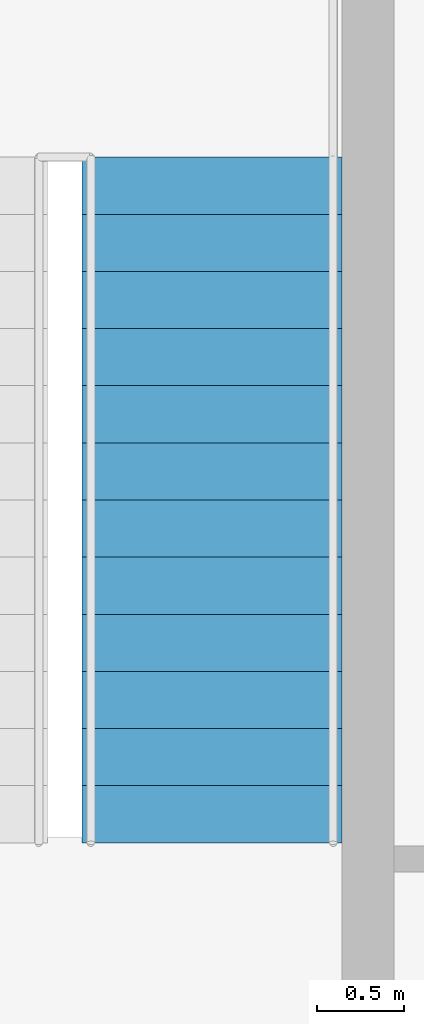
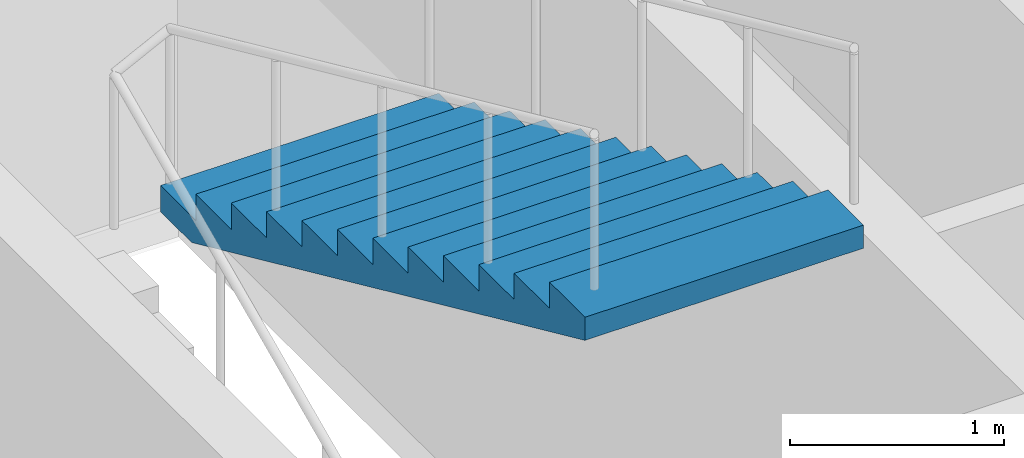
# One storey, part 10 of 11: 1 stair flight, 1 element without a shape of its own.
"""IFC4 building model written with IfcOpenShell, lengths in metres."""

from ifc_helpers import new_model, si_unit, direction, frame, origin, place, context, subcontext, project, spatial, polygons, material, type_object, element, aggregate, save


model = new_model("IFC4")

# Units and contexts
model_context = context("Model", 3, precision=1e-05, world=origin(), true_north=direction((0.0, 1.0)))
body_context = subcontext(model_context, "Body", "Model", "MODEL_VIEW")
ifc_project = project(units=[si_unit("LENGTHUNIT", "METRE"), si_unit("AREAUNIT", "SQUARE_METRE"), si_unit("VOLUMEUNIT", "CUBIC_METRE"), si_unit("PLANEANGLEUNIT", "RADIAN"), si_unit("MASSUNIT", "GRAM", prefix="KILO")], contexts=[model_context])

# Site, building, storey
site_placement = place(None, origin())
site = spatial("IfcSite", under=ifc_project, at=site_placement, CompositionType="ELEMENT")
building_placement = place(site_placement, origin())
building = spatial("IfcBuilding", under=site, at=building_placement, Name="Njiva Tower", CompositionType="ELEMENT")
storey_placement = place(building_placement, frame((0.0, 0.0, 174.9)))
storey = spatial("IfcBuildingStorey", under=building, at=storey_placement, Name="L38", CompositionType="ELEMENT", Elevation=174.9)

# Stair, stair flight
ifc_material = material(Name="Concrete C40/50", Category="concrete")
stair_type = type_object("IfcStairType", Name="ST4 Exit stair 1500", PredefinedType="HALF_TURN_STAIR", material=ifc_material)
stair_placement = place(storey_placement, origin())
stair = element("IfcStair", 1, at=stair_placement, inside=storey, type_object=stair_type, Name="Stair B", PredefinedType="HALF_TURN_STAIR")
stair_flight_type = type_object("IfcStairFlightType", Name="FL4 Stair flight 1500", PredefinedType="STRAIGHT", material=ifc_material)
stair_flight_placement = place(storey_placement, frame((13.45, 15.06, 1.95), z_axis=(0.0, 0.0, 1.0), x_axis=(0.0, -1.0, 0.0)))
stair_flight = element("IfcStairFlight", 2, at=stair_flight_placement, type_object=stair_flight_type, Name="ST-B flight 2", NumberOfRisers=13, NumberOfTreads=12, PredefinedType="STRAIGHT", RiserHeight=0.15, TreadLength=0.33, context=body_context, shape_type="Tessellation", body=[
    polygons([(0.0, 0.75, 0.0), (0.0, 0.375, 0.0), (0.0, 0.0, 0.0), (0.0, -0.375, 0.0), (0.0, -0.75, 0.0), (0.0, 0.75, 0.15), (0.0, 0.375, 0.15), (0.0, 0.0, 0.15), (0.0, -0.375, 0.15), (0.0, -0.75, 0.15), (0.33, 0.75, 0.15), (0.33, 0.375, 0.15), (0.33, 0.0, 0.15), (0.33, -0.375, 0.15), (0.33, -0.75, 0.15), (0.33, 0.75, 0.3), (0.33, 0.375, 0.3), (0.33, 0.0, 0.3), (0.33, -0.375, 0.3), (0.33, -0.75, 0.3), (0.66, 0.75, 0.3), (0.66, 0.375, 0.3), (0.66, 0.0, 0.3), (0.66, -0.375, 0.3), (0.66, -0.75, 0.3), (0.66, 0.75, 0.45), (0.66, 0.375, 0.45), (0.66, 0.0, 0.45), (0.66, -0.375, 0.45), (0.66, -0.75, 0.45), (0.99, 0.75, 0.45), (0.99, 0.375, 0.45), (0.99, 0.0, 0.45), (0.99, -0.375, 0.45), (0.99, -0.75, 0.45), (0.99, 0.75, 0.6), (0.99, 0.375, 0.6), (0.99, 0.0, 0.6), (0.99, -0.375, 0.6), (0.99, -0.75, 0.6), (1.32, 0.75, 0.6), (1.32, 0.375, 0.6), (1.32, 0.0, 0.6), (1.32, -0.375, 0.6), (1.32, -0.75, 0.6), (1.32, 0.75, 0.75), (1.32, 0.375, 0.75), (1.32, 0.0, 0.75), (1.32, -0.375, 0.75), (1.32, -0.75, 0.75), (1.65, 0.75, 0.75), (1.65, 0.375, 0.75), (1.65, 0.0, 0.75), (1.65, -0.375, 0.75), (1.65, -0.75, 0.75), (1.65, 0.75, 0.9), (1.65, 0.375, 0.9), (1.65, 0.0, 0.9), (1.65, -0.375, 0.9), (1.65, -0.75, 0.9), (1.98, 0.75, 0.9), (1.98, 0.375, 0.9), (1.98, 0.0, 0.9), (1.98, -0.375, 0.9), (1.98, -0.75, 0.9), (1.98, 0.75, 1.05), (1.98, 0.375, 1.05), (1.98, 0.0, 1.05), (1.98, -0.375, 1.05), (1.98, -0.75, 1.05), (2.31, 0.75, 1.05), (2.31, 0.375, 1.05), (2.31, 0.0, 1.05), (2.31, -0.375, 1.05), (2.31, -0.75, 1.05), (2.31, 0.75, 1.2), (2.31, 0.375, 1.2), (2.31, 0.0, 1.2), (2.31, -0.375, 1.2), (2.31, -0.75, 1.2), (2.64, 0.75, 1.2), (2.64, 0.375, 1.2), (2.64, 0.0, 1.2), (2.64, -0.375, 1.2), (2.64, -0.75, 1.2), (2.64, 0.75, 1.35), (2.64, 0.375, 1.35), (2.64, 0.0, 1.35), (2.64, -0.375, 1.35), (2.64, -0.75, 1.35), (2.97, 0.75, 1.35), (2.97, 0.375, 1.35), (2.97, 0.0, 1.35), (2.97, -0.375, 1.35), (2.97, -0.75, 1.35), (2.97, 0.75, 1.5), (2.97, 0.375, 1.5), (2.97, 0.0, 1.5), (2.97, -0.375, 1.5), (2.97, -0.75, 1.5), (3.3, 0.75, 1.5), (3.3, 0.375, 1.5), (3.3, 0.0, 1.5), (3.3, -0.375, 1.5), (3.3, -0.75, 1.5), (3.3, 0.75, 1.65), (3.3, 0.375, 1.65), (3.3, 0.0, 1.65), (3.3, -0.375, 1.65), (3.3, -0.75, 1.65), (3.63, 0.75, 1.65), (3.63, 0.375, 1.65), (3.63, 0.0, 1.65), (3.63, -0.375, 1.65), (3.63, -0.75, 1.65), (3.63, 0.75, 1.8), (3.63, 0.375, 1.8), (3.63, 0.0, 1.8), (3.63, -0.375, 1.8), (3.63, -0.75, 1.8), (3.96, 0.75, 1.8), (3.96, 0.375, 1.8), (3.96, 0.0, 1.8), (3.96, -0.375, 1.8), (3.96, -0.75, 1.8), (3.96, 0.75, 1.6682), (3.96, 0.375, 1.6682), (3.96, 0.0, 1.6682), (3.96, -0.375, 1.6682), (3.96, -0.75, 1.6682), (0.29, 0.75, 0.0), (0.29, 0.375, 0.0), (0.29, 0.0, 0.0), (0.29, -0.375, 0.0), (0.29, -0.75, 0.0)], [[[1, 6, 11, 16, 21, 26, 31, 36, 41, 46, 51, 56, 61, 66, 71, 76, 81, 86, 91, 96, 101, 106, 111, 116, 121, 126, 131]], [[135, 130, 125, 120, 115, 110, 105, 100, 95, 90, 85, 80, 75, 70, 65, 60, 55, 50, 45, 40, 35, 30, 25, 20, 15, 10, 5]], [[6, 1, 2, 7]], [[7, 2, 3, 8]], [[8, 3, 4, 9]], [[9, 4, 5, 10]], [[11, 6, 7, 12]], [[12, 7, 8, 13]], [[13, 8, 9, 14]], [[14, 9, 10, 15]], [[16, 11, 12, 17]], [[17, 12, 13, 18]], [[18, 13, 14, 19]], [[19, 14, 15, 20]], [[21, 16, 17, 22]], [[22, 17, 18, 23]], [[23, 18, 19, 24]], [[24, 19, 20, 25]], [[26, 21, 22, 27]], [[27, 22, 23, 28]], [[28, 23, 24, 29]], [[29, 24, 25, 30]], [[31, 26, 27, 32]], [[32, 27, 28, 33]], [[33, 28, 29, 34]], [[34, 29, 30, 35]], [[36, 31, 32, 37]], [[37, 32, 33, 38]], [[38, 33, 34, 39]], [[39, 34, 35, 40]], [[41, 36, 37, 42]], [[42, 37, 38, 43]], [[43, 38, 39, 44]], [[44, 39, 40, 45]], [[46, 41, 42, 47]], [[47, 42, 43, 48]], [[48, 43, 44, 49]], [[49, 44, 45, 50]], [[51, 46, 47, 52]], [[52, 47, 48, 53]], [[53, 48, 49, 54]], [[54, 49, 50, 55]], [[56, 51, 52, 57]], [[57, 52, 53, 58]], [[58, 53, 54, 59]], [[59, 54, 55, 60]], [[61, 56, 57, 62]], [[62, 57, 58, 63]], [[63, 58, 59, 64]], [[64, 59, 60, 65]], [[66, 61, 62, 67]], [[67, 62, 63, 68]], [[68, 63, 64, 69]], [[69, 64, 65, 70]], [[71, 66, 67, 72]], [[72, 67, 68, 73]], [[73, 68, 69, 74]], [[74, 69, 70, 75]], [[76, 71, 72, 77]], [[77, 72, 73, 78]], [[78, 73, 74, 79]], [[79, 74, 75, 80]], [[81, 76, 77, 82]], [[82, 77, 78, 83]], [[83, 78, 79, 84]], [[84, 79, 80, 85]], [[86, 81, 82, 87]], [[87, 82, 83, 88]], [[88, 83, 84, 89]], [[89, 84, 85, 90]], [[91, 86, 87, 92]], [[92, 87, 88, 93]], [[93, 88, 89, 94]], [[94, 89, 90, 95]], [[96, 91, 92, 97]], [[97, 92, 93, 98]], [[98, 93, 94, 99]], [[99, 94, 95, 100]], [[101, 96, 97, 102]], [[102, 97, 98, 103]], [[103, 98, 99, 104]], [[104, 99, 100, 105]], [[106, 101, 102, 107]], [[107, 102, 103, 108]], [[108, 103, 104, 109]], [[109, 104, 105, 110]], [[111, 106, 107, 112]], [[112, 107, 108, 113]], [[113, 108, 109, 114]], [[114, 109, 110, 115]], [[116, 111, 112, 117]], [[117, 112, 113, 118]], [[118, 113, 114, 119]], [[119, 114, 115, 120]], [[121, 116, 117, 122]], [[122, 117, 118, 123]], [[123, 118, 119, 124]], [[124, 119, 120, 125]], [[126, 121, 122, 127]], [[127, 122, 123, 128]], [[128, 123, 124, 129]], [[129, 124, 125, 130]], [[131, 126, 127, 132]], [[132, 127, 128, 133]], [[133, 128, 129, 134]], [[134, 129, 130, 135]], [[1, 131, 132, 2]], [[2, 132, 133, 3]], [[3, 133, 134, 4]], [[4, 134, 135, 5]]], closed=True),
])
aggregate(stair, [stair_flight])

save(model, "model.ifc")
